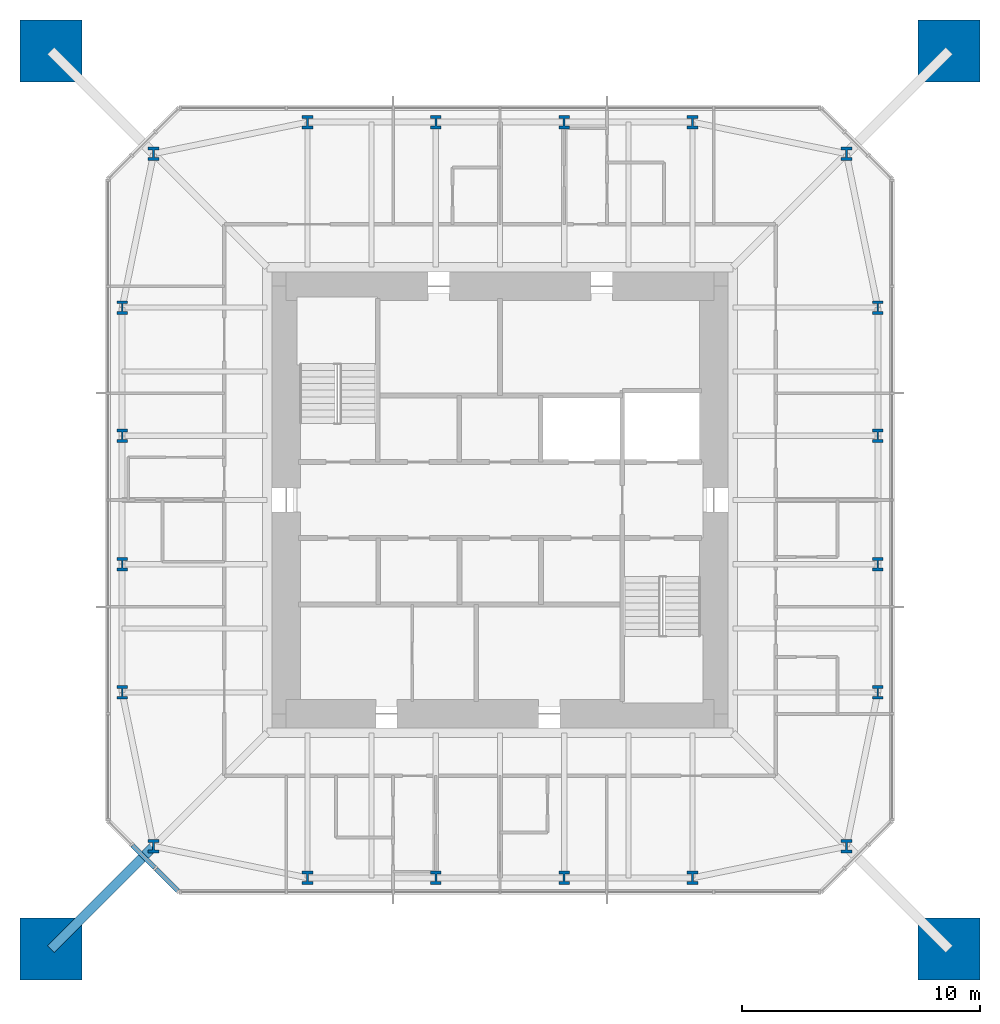
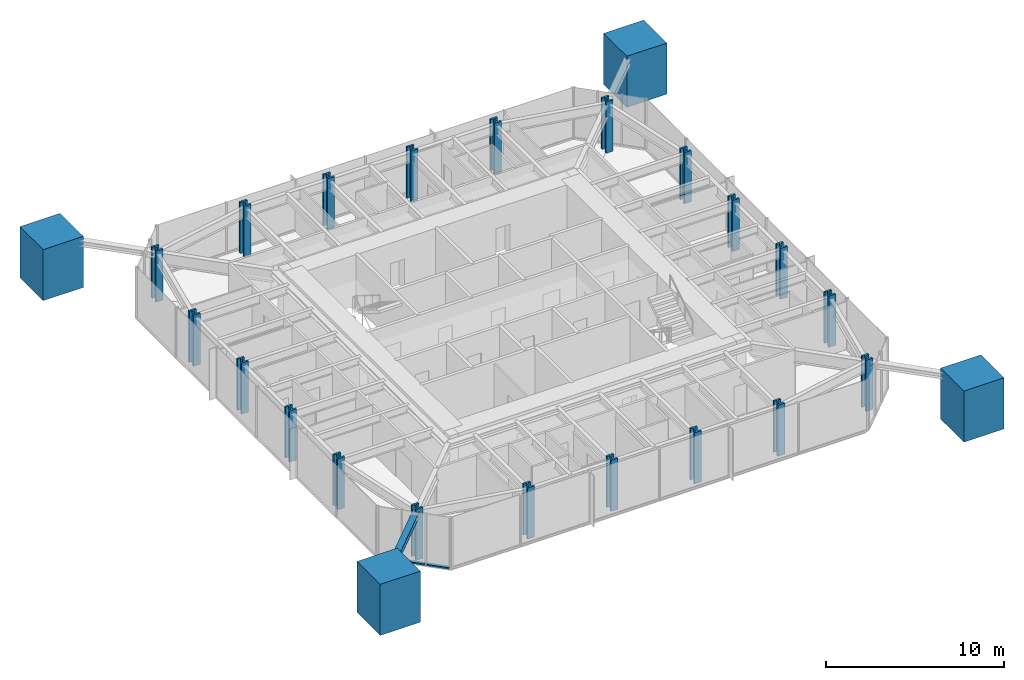
# One storey, part 1 of 9: 24 columns, 3 members, 1 element without a shape of its own.
"""IFC4 building model written with IfcOpenShell, lengths in metres."""

from ifc_helpers import new_model, si_unit, direction, frame, origin, origin_2d, place, context, subcontext, project, spatial, rectangle, i_section, extrude, material, material_profile, profile_set, type_object, element, aggregate, save


model = new_model("IFC4")

# Units and contexts
model_context = context("Model", 3, precision=1e-05, world=origin(), true_north=direction((0.0, 1.0)))
body_context = subcontext(model_context, "Body", "Model", "MODEL_VIEW")
ifc_project = project(units=[si_unit("LENGTHUNIT", "METRE"), si_unit("AREAUNIT", "SQUARE_METRE"), si_unit("VOLUMEUNIT", "CUBIC_METRE"), si_unit("PLANEANGLEUNIT", "RADIAN"), si_unit("MASSUNIT", "GRAM", prefix="KILO")], contexts=[model_context])

# Site, building, storey
site_placement = place(None, origin())
site = spatial("IfcSite", under=ifc_project, at=site_placement, CompositionType="ELEMENT")
building_placement = place(site_placement, origin())
building = spatial("IfcBuilding", under=site, at=building_placement, Name="Iwan Alto Co-Living Towers", CompositionType="ELEMENT")
storey_placement = place(building_placement, frame((0.0, 0.0, 257.0)))
storey = spatial("IfcBuildingStorey", under=building, at=storey_placement, Name="L70", CompositionType="ELEMENT", Elevation=257.0)

# Columns
ifc_material_1 = material(Name="Concrete f'c 70 MPa", Category="concrete")
ifc_material_profile_1 = material_profile(ifc_material_1, rectangle(XDim=2.60009765625, YDim=2.60009765625, at=origin_2d()), Name="RC 2600X2600")
ifc_profile_set_1 = profile_set([ifc_material_profile_1], Name="Concrete f'c 70 MPa")
column_type_1 = type_object("IfcColumnType", Name="T1 MEGA COLUMN RC 2600X2600", PredefinedType="COLUMN", material=ifc_profile_set_1)
for number, where, z_axis, x_axis, name in (
    (1, (-18.89990234375, -18.89990234375, 0.0), (0.0, 0.0, 1.0), (1.0, 0.0, 0.0), "T1 mega column SW L70"),
    (2, (18.89990234375, -18.89990234375, 0.0), (0.0, 0.0, 1.0), (1.0, 0.0, 0.0), "T1 mega column SE L70"),
    (3, (18.89990234375, 18.89990234375, 0.0), (0.0, 0.0, 1.0), (1.0, 0.0, 0.0), "T1 mega column NE L70"),
    (4, (-18.89990234375, 18.89990234375, 0.0), (0.0, 0.0, 1.0), (1.0, 0.0, 0.0), "T1 mega column NW L70"),
):
    element("IfcColumn", number, at=place(storey_placement, frame(where, z_axis=z_axis, x_axis=x_axis)), inside=storey, type_object=column_type_1, Name=name, PredefinedType="COLUMN", context=body_context, shape_type="SweptSolid", body=[
        extrude(rectangle(XDim=2.60009765625, YDim=2.60009765625, at=origin_2d()), origin(), (0.0, 0.0, 1.0), 3.5),
        extrude(i_section(OverallWidth=0.4775390625, OverallDepth=0.599365234375, WebThickness=0.10009765625, FlangeThickness=0.139892578125, at=origin_2d()), origin(), (0.0, 0.0, 1.0), 3.5),
    ])
ifc_material_2 = material(Name="Steel ASTM A992 Gr 50", Category="steel")
ifc_material_profile_2 = material_profile(ifc_material_2, i_section(OverallWidth=0.45458984375, OverallDepth=0.56884765625, WebThickness=0.077880859375, FlangeThickness=0.124755859375, at=origin_2d()), Name="W14X730")
ifc_profile_set_2 = profile_set([ifc_material_profile_2], Name="Steel ASTM A992 Gr 50")
column_type_2 = type_object("IfcColumnType", Name="T1 RING COLUMN W14X730", PredefinedType="COLUMN", material=ifc_profile_set_2)
for number, where, z_axis, x_axis, name in (
    (5, (-14.57568359375, -14.57568359375, 0.0), (0.0, 0.0, 1.0), (1.0, 0.0, 0.0), "T1 ring column CSW L70"),
    (6, (-8.10009765625, -15.89990234375, 0.0), (0.0, 0.0, 1.0), (1.0, 0.0, 0.0), "T1 ring column S1 L70"),
    (7, (-2.699951171875, -15.89990234375, 0.0), (0.0, 0.0, 1.0), (1.0, 0.0, 0.0), "T1 ring column S2 L70"),
    (8, (2.699951171875, -15.89990234375, 0.0), (0.0, 0.0, 1.0), (1.0, 0.0, 0.0), "T1 ring column S3 L70"),
    (9, (8.10009765625, -15.89990234375, 0.0), (0.0, 0.0, 1.0), (1.0, 0.0, 0.0), "T1 ring column S4 L70"),
    (10, (14.57568359375, -14.57568359375, 0.0), (0.0, 0.0, 1.0), (1.0, 0.0, 0.0), "T1 ring column CSE L70"),
    (11, (15.89990234375, -8.10009765625, 0.0), (0.0, 0.0, 1.0), (1.0, 0.0, 0.0), "T1 ring column E1 L70"),
    (12, (15.89990234375, -2.699951171875, 0.0), (0.0, 0.0, 1.0), (1.0, 0.0, 0.0), "T1 ring column E2 L70"),
    (13, (15.89990234375, 2.699951171875, 0.0), (0.0, 0.0, 1.0), (1.0, 0.0, 0.0), "T1 ring column E3 L70"),
    (14, (15.89990234375, 8.10009765625, 0.0), (0.0, 0.0, 1.0), (1.0, 0.0, 0.0), "T1 ring column E4 L70"),
    (15, (14.57568359375, 14.57568359375, 0.0), (0.0, 0.0, 1.0), (1.0, 0.0, 0.0), "T1 ring column CNE L70"),
    (16, (8.10009765625, 15.89990234375, 0.0), (0.0, 0.0, 1.0), (1.0, 0.0, 0.0), "T1 ring column N1 L70"),
    (17, (2.699951171875, 15.89990234375, 0.0), (0.0, 0.0, 1.0), (1.0, 0.0, 0.0), "T1 ring column N2 L70"),
    (18, (-2.699951171875, 15.89990234375, 0.0), (0.0, 0.0, 1.0), (1.0, 0.0, 0.0), "T1 ring column N3 L70"),
    (19, (-8.10009765625, 15.89990234375, 0.0), (0.0, 0.0, 1.0), (1.0, 0.0, 0.0), "T1 ring column N4 L70"),
    (20, (-14.57568359375, 14.57568359375, 0.0), (0.0, 0.0, 1.0), (1.0, 0.0, 0.0), "T1 ring column CNW L70"),
    (21, (-15.89990234375, 8.10009765625, 0.0), (0.0, 0.0, 1.0), (1.0, 0.0, 0.0), "T1 ring column W1 L70"),
    (22, (-15.89990234375, 2.699951171875, 0.0), (0.0, 0.0, 1.0), (1.0, 0.0, 0.0), "T1 ring column W2 L70"),
    (23, (-15.89990234375, -2.699951171875, 0.0), (0.0, 0.0, 1.0), (1.0, 0.0, 0.0), "T1 ring column W3 L70"),
    (24, (-15.89990234375, -8.10009765625, 0.0), (0.0, 0.0, 1.0), (1.0, 0.0, 0.0), "T1 ring column W4 L70"),
):
    element("IfcColumn", number, at=place(storey_placement, frame(where, z_axis=z_axis, x_axis=x_axis)), inside=storey, type_object=column_type_2, Name=name, PredefinedType="COLUMN", context=body_context, shape_type="SweptSolid", body=[
        extrude(i_section(OverallWidth=0.45458984375, OverallDepth=0.56884765625, WebThickness=0.077880859375, FlangeThickness=0.124755859375, at=origin_2d()), origin(), (0.0, 0.0, 1.0), 3.5),
    ])

# Curtain wall, members
ifc_material_3 = material(Name="Bronze aluminium unitised frame", Category="aluminium")
curtain_wall_type = type_object("IfcCurtainWallType", Name="CURTAIN WALL CW-B", PredefinedType="NOTDEFINED", material=ifc_material_3)
curtain_wall_placement = place(storey_placement, origin())
curtain_wall = element("IfcCurtainWall", 25, at=curtain_wall_placement, inside=storey, type_object=curtain_wall_type, Name="T1 chamfer curtain wall SW L70", PredefinedType="NOTDEFINED")
ifc_material_4 = material(Name="Aluminium 6063-T6 bronze anodised", Category="aluminium")
ifc_material_profile_3 = material_profile(ifc_material_4, rectangle(XDim=0.199951171875, YDim=0.10009765625, at=origin_2d()), Name="AL 200X100")
ifc_profile_set_3 = profile_set([ifc_material_profile_3], Name="Aluminium 6063-T6 bronze anodised")
member_type_1 = type_object("IfcMemberType", Name="CW-B TRANSOM 200X100", PredefinedType="USERDEFINED", material=ifc_profile_set_3)
member_1_placement = place(storey_placement, frame((-15.4716796875, -14.5283203125, 0.050048828125), z_axis=(0.707106781187, -0.707106781187, 0.0), x_axis=(0.707106781187, 0.707106781187, 0.0)))
member_1 = element("IfcMember", 26, at=member_1_placement, type_object=member_type_1, Name="CW-B transom 2.1", ObjectType="TRANSOM", PredefinedType="USERDEFINED", context=body_context, shape_type="SweptSolid", body=[
    extrude(rectangle(XDim=0.199951171875, YDim=0.10009765625, at=origin_2d()), origin(), (0.0, 0.0, 1.0), 1.334228515625),
])
member_2_placement = place(storey_placement, frame((-14.4716796875, -15.5283203125, 0.050048828125), z_axis=(0.707106781187, -0.707106781187, 0.0), x_axis=(0.707106781187, 0.707106781187, 0.0)))
member_2 = element("IfcMember", 27, at=member_2_placement, type_object=member_type_1, Name="CW-B transom 3.1", ObjectType="TRANSOM", PredefinedType="USERDEFINED", context=body_context, shape_type="SweptSolid", body=[
    extrude(rectangle(XDim=0.199951171875, YDim=0.10009765625, at=origin_2d()), origin(), (0.0, 0.0, 1.0), 1.2939453125),
])
aggregate(curtain_wall, [member_1, member_2])

# Member
ifc_material_5 = material(Name="Steel ASTM A992 Gr 50", Category="steel")
ifc_material_profile_4 = material_profile(ifc_material_5, i_section(OverallWidth=0.393798828125, OverallDepth=0.3759765625, WebThickness=0.017333984375, FlangeThickness=0.027587890625, at=origin_2d()), Name="W14X145")
ifc_profile_set_4 = profile_set([ifc_material_profile_4], Name="Steel ASTM A992 Gr 50")
member_type_2 = type_object("IfcMemberType", Name="T1 MEGA COLUMN FLOOR TIE W14X145", PredefinedType="STRUT", material=ifc_profile_set_4)
member_3_placement = place(storey_placement, frame((-18.89990234375, -18.89990234375, 3.08203125), z_axis=(0.707106781187, 0.707106781187, 0.0), x_axis=(-0.707106781187, 0.707106781187, 0.0)))
element("IfcMember", 28, at=member_3_placement, inside=storey, type_object=member_type_2, Name="T1 mega column floor tie SW L71", PredefinedType="STRUT", context=body_context, shape_type="SweptSolid", body=[
    extrude(i_section(OverallWidth=0.393798828125, OverallDepth=0.3759765625, WebThickness=0.017333984375, FlangeThickness=0.027587890625, at=origin_2d()), origin(), (0.0, 0.0, 1.0), 6.115478515625),
])

save(model, "model.ifc")
